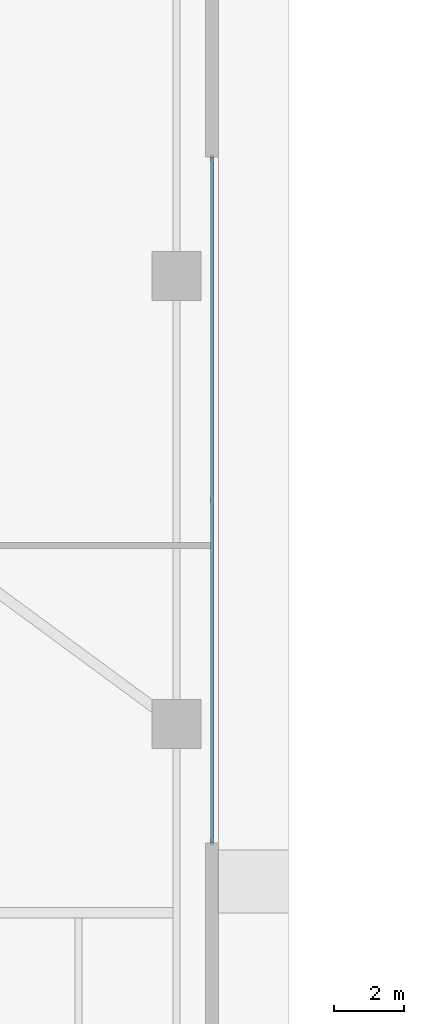
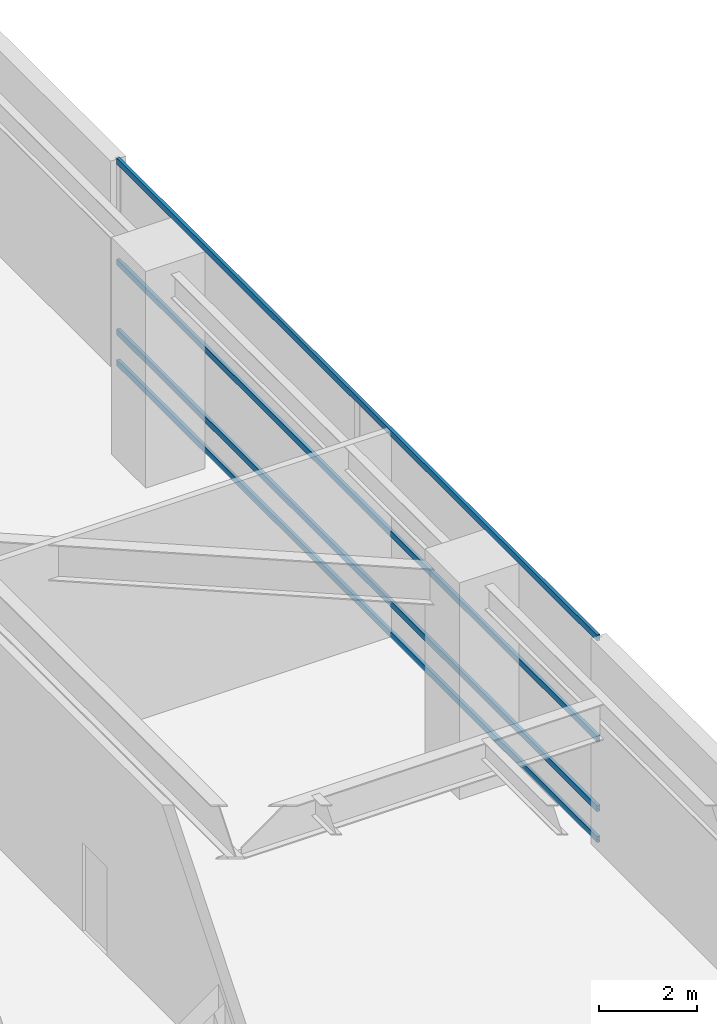
# One storey, part 21 of 32: 4 members, 1 element without a shape of its own.
"""IFC4 building model written with IfcOpenShell, lengths in metres."""

from ifc_helpers import new_model, si_unit, direction, frame, origin, origin_2d, place, context, subcontext, project, spatial, hollow_rectangle, extrude, source, transform, mapped, material, layer, layer_set, material_profile, profile_set, type_object, element, aggregate, save


model = new_model("IFC4")

# Units and contexts
model_context = context("Model", 3, precision=1e-05, world=origin(), true_north=direction((0.0, 1.0)))
body_context = subcontext(model_context, "Body", "Model", "MODEL_VIEW")
ifc_project = project(units=[si_unit("LENGTHUNIT", "METRE"), si_unit("AREAUNIT", "SQUARE_METRE"), si_unit("VOLUMEUNIT", "CUBIC_METRE"), si_unit("PLANEANGLEUNIT", "RADIAN"), si_unit("MASSUNIT", "GRAM", prefix="KILO"), si_unit("THERMODYNAMICTEMPERATUREUNIT", "KELVIN"), si_unit("POWERUNIT", "WATT")], contexts=[model_context])

# Site, building, storey
site_placement = place(None, origin())
site = spatial("IfcSite", under=ifc_project, at=site_placement, CompositionType="ELEMENT")
building_placement = place(site_placement, origin())
building = spatial("IfcBuilding", under=site, at=building_placement, Name="Yuzanri Waterfront Tower", CompositionType="ELEMENT")
storey_placement = place(building_placement, origin())
storey = spatial("IfcBuildingStorey", under=building, at=storey_placement, Name="L01", CompositionType="ELEMENT", Elevation=0.0)

# Curtain wall, members
ifc_material_1 = material(Name="Anodized Architectural Bronze", Category="metal")
ifc_layer = layer(ifc_material_1, 0.159912109375)
ifc_layer_set = layer_set([ifc_layer], Name="Anodized Architectural Bronze")
curtain_wall_type = type_object("IfcCurtainWallType", Name="Anodized Bronze Podium Waterfront Double-Height Unitized Curtain Wall 8400", PredefinedType="NOTDEFINED", material=ifc_layer_set)
curtain_wall_placement = place(storey_placement, origin())
curtain_wall = element("IfcCurtainWall", 1, at=curtain_wall_placement, inside=storey, type_object=curtain_wall_type, Name="L01 Curtain Wall CW-L01-E", PredefinedType="NOTDEFINED")
ifc_material_2 = material(Name="Anodized Architectural Bronze", Category="metal")
ifc_material_profile = material_profile(ifc_material_2, hollow_rectangle(XDim=0.074951171875, YDim=0.14990234375, WallThickness=0.00390625, at=origin_2d()), Name="CWT 75x150")
ifc_profile_set = profile_set([ifc_material_profile], Name="Anodized Architectural Bronze")
member_type = type_object("IfcMemberType", Name="Anodized Bronze Primary Curtain-Wall Transom 75x150", PredefinedType="USERDEFINED", material=ifc_profile_set)
shared_shape = source(origin(), body_context, "Body", "SweptSolid", [
    extrude(hollow_rectangle(XDim=0.074951171875, YDim=0.14990234375, WallThickness=0.00390625, at=origin_2d()), origin(), (0.0, 0.0, 1.0), 19.60009765625),
])
member_1_placement = place(storey_placement, frame((71.820068359375, 16.0, 0.050048828125), z_axis=(0.0, 1.0, 0.0), x_axis=(-1.0, 0.0, 0.0)))
member_1 = element("IfcMember", 2, at=member_1_placement, type_object=member_type, Name="CW-L01-E Transom 1", ObjectType="TRANSOM", PredefinedType="USERDEFINED", context=body_context, shape_type="MappedRepresentation", body=[
    mapped(shared_shape, transform((0.0, 0.0, 0.0), scale=1.0)),
])
member_2_placement = place(storey_placement, frame((71.820068359375, 16.0, 0.820068359375), z_axis=(0.0, 1.0, 0.0), x_axis=(-1.0, 0.0, 0.0)))
member_2 = element("IfcMember", 3, at=member_2_placement, type_object=member_type, Name="CW-L01-E Transom 2", ObjectType="TRANSOM", PredefinedType="USERDEFINED", context=body_context, shape_type="MappedRepresentation", body=[
    mapped(shared_shape, transform((0.0, 0.0, 0.0), scale=1.0)),
])
member_3_placement = place(storey_placement, frame((71.820068359375, 16.0, 2.56005859375), z_axis=(0.0, 1.0, 0.0), x_axis=(-1.0, 0.0, 0.0)))
member_3 = element("IfcMember", 4, at=member_3_placement, type_object=member_type, Name="CW-L01-E Transom 3", ObjectType="TRANSOM", PredefinedType="USERDEFINED", context=body_context, shape_type="MappedRepresentation", body=[
    mapped(shared_shape, transform((0.0, 0.0, 0.0), scale=1.0)),
])
member_4_placement = place(storey_placement, frame((71.820068359375, 16.0, 5.070068359375), z_axis=(0.0, 1.0, 0.0), x_axis=(-1.0, 0.0, 0.0)))
member_4 = element("IfcMember", 5, at=member_4_placement, type_object=member_type, Name="CW-L01-E Transom 4", ObjectType="TRANSOM", PredefinedType="USERDEFINED", context=body_context, shape_type="MappedRepresentation", body=[
    mapped(shared_shape, transform((0.0, 0.0, 0.0), scale=1.0)),
])
aggregate(curtain_wall, [member_1, member_2, member_3, member_4])

save(model, "model.ifc")
